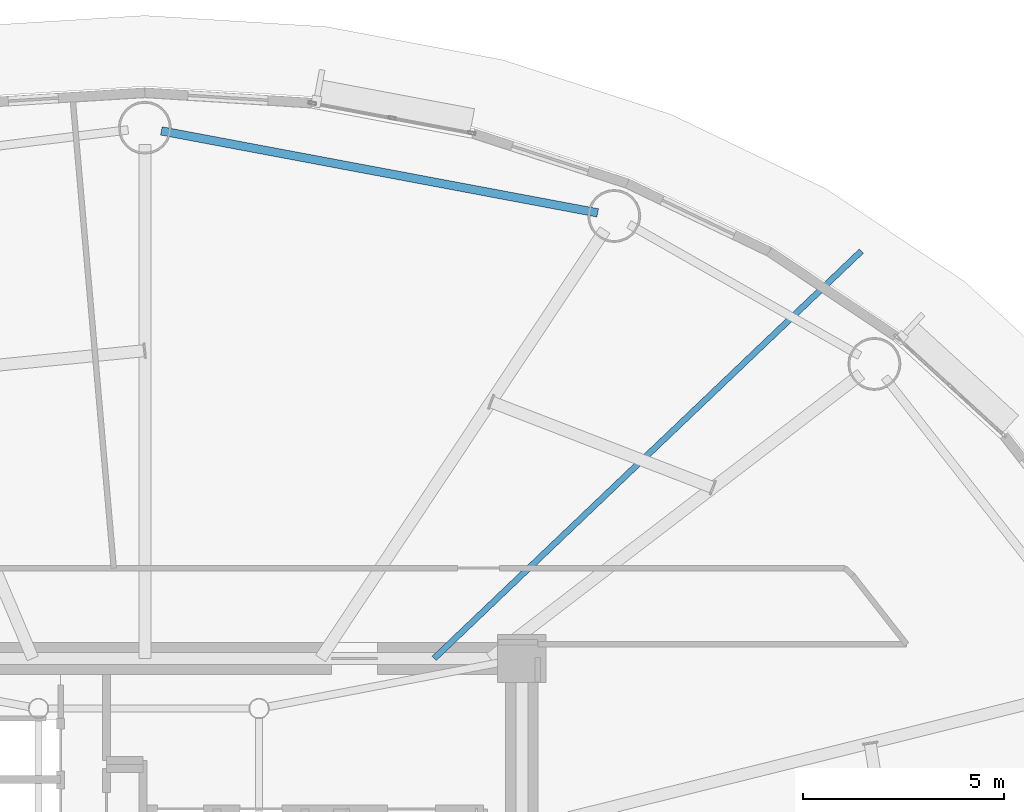
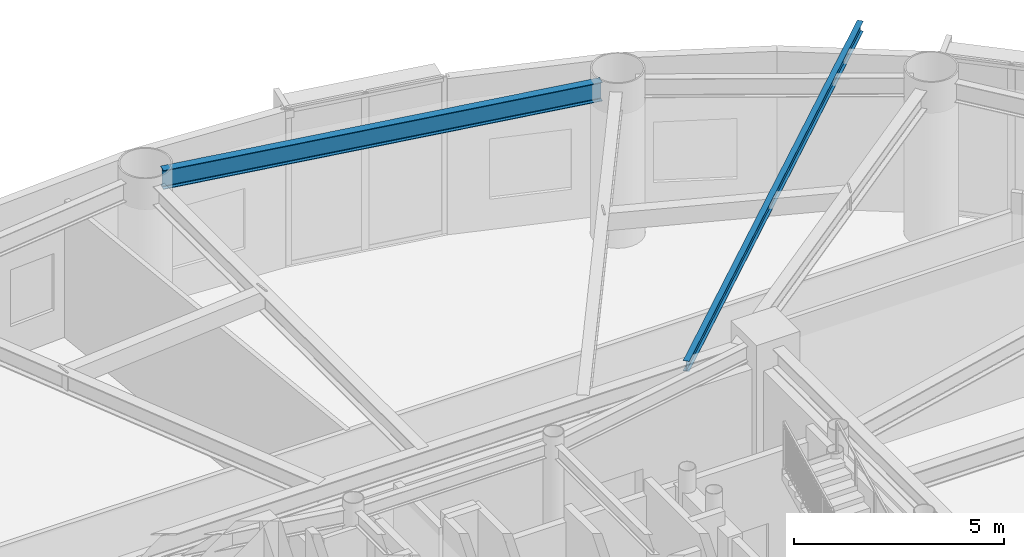
# One storey, part 21 of 38: 2 beams.
"""IFC4 building model written with IfcOpenShell, lengths in metres."""

from ifc_helpers import new_model, si_unit, direction, frame, origin, origin_2d, place, context, subcontext, project, spatial, i_section, extrude, material, material_profile, profile_set, type_object, element, save


model = new_model("IFC4")

# Units and contexts
model_context = context("Model", 3, precision=1e-05, world=origin(), true_north=direction((0.0, 1.0)))
body_context = subcontext(model_context, "Body", "Model", "MODEL_VIEW")
ifc_project = project(units=[si_unit("LENGTHUNIT", "METRE"), si_unit("AREAUNIT", "SQUARE_METRE"), si_unit("VOLUMEUNIT", "CUBIC_METRE"), si_unit("PLANEANGLEUNIT", "RADIAN"), si_unit("MASSUNIT", "GRAM", prefix="KILO")], contexts=[model_context])

# Site, building, storey
site_placement = place(None, origin())
site = spatial("IfcSite", under=ifc_project, at=site_placement, CompositionType="ELEMENT")
building_placement = place(site_placement, origin())
building = spatial("IfcBuilding", under=site, at=building_placement, Name="Linh Dai School and Residence Tower", CompositionType="ELEMENT")
storey_placement = place(building_placement, frame((0.0, 0.0, 151.35009765625)))
storey = spatial("IfcBuildingStorey", under=building, at=storey_placement, Name="L36", CompositionType="ELEMENT", Elevation=151.35009765625)

# Beams
ifc_material = material(Name="Structural Steel S355JR", Category="steel")
ifc_material_profile_1 = material_profile(ifc_material, i_section(OverallWidth=0.14990234375, OverallDepth=0.300048828125, WebThickness=0.007080078125, FlangeThickness=0.0107421875, at=origin_2d()), Name="IPE 300")
ifc_profile_set_1 = profile_set([ifc_material_profile_1], Name="Structural Steel S355JR")
beam_type_1 = type_object("IfcBeamType", Name="BM-BALC-CANT", PredefinedType="BEAM", material=ifc_profile_set_1)
beam_1_placement = place(storey_placement, frame((43.216796875, 33.60009765625, 4.39990234375), z_axis=(0.723729451738, 0.690083821494, 0.0), x_axis=(-0.690083821494, 0.723729451738, 0.0)))
element("IfcBeam", 1, at=beam_1_placement, inside=storey, type_object=beam_type_1, Name="L37 Balcony Continuous Cantilever Beam 06", PredefinedType="BEAM", context=body_context, shape_type="SweptSolid", body=[
    extrude(i_section(OverallWidth=0.14990234375, OverallDepth=0.300048828125, WebThickness=0.007080078125, FlangeThickness=0.0107421875, at=origin_2d()), origin(), (0.0, 0.0, 1.0), 14.715576171875),
])
ifc_material_profile_2 = material_profile(ifc_material, i_section(OverallWidth=0.2099609375, OverallDepth=0.550048828125, WebThickness=0.010986328125, FlangeThickness=0.01708984375, FilletRadius=0.02392578125, at=origin_2d()), Name="IPE 550")
ifc_profile_set_2 = profile_set([ifc_material_profile_2], Name="Structural Steel S355JR")
beam_type_2 = type_object("IfcBeamType", Name="BM-RB55", PredefinedType="BEAM", material=ifc_profile_set_2)
beam_2_placement = place(storey_placement, frame((47.292724609375, 44.70849609375, 4.27490234375), z_axis=(-0.98280721278, 0.184634727255, 0.0), x_axis=(-0.184634727255, -0.98280721278, 0.0)))
element("IfcBeam", 2, at=beam_2_placement, inside=storey, type_object=beam_type_2, Name="L36 Perimeter Elliptical Ring Beam 04", PredefinedType="BEAM", context=body_context, shape_type="SweptSolid", body=[
    extrude(i_section(OverallWidth=0.2099609375, OverallDepth=0.550048828125, WebThickness=0.010986328125, FlangeThickness=0.01708984375, FilletRadius=0.02392578125, at=origin_2d()), origin(), (0.0, 0.0, 1.0), 11.0703125),
])

save(model, "model.ifc")
